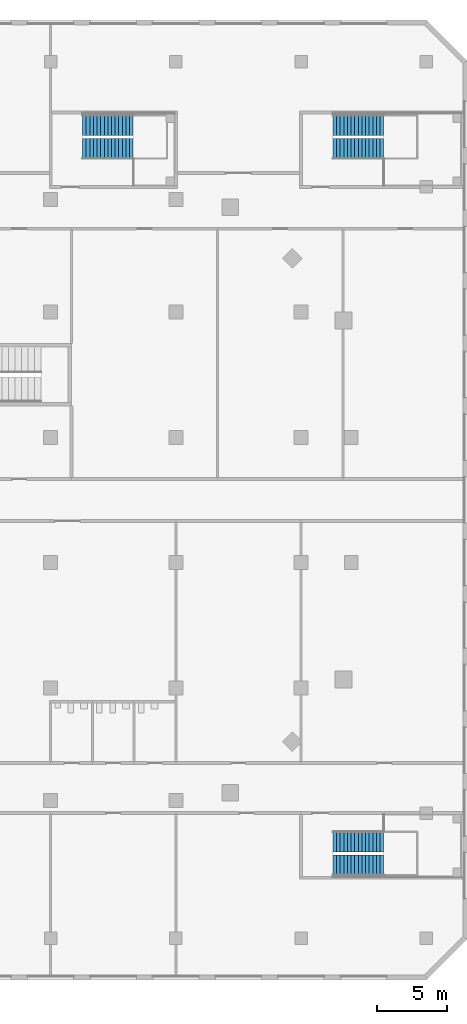
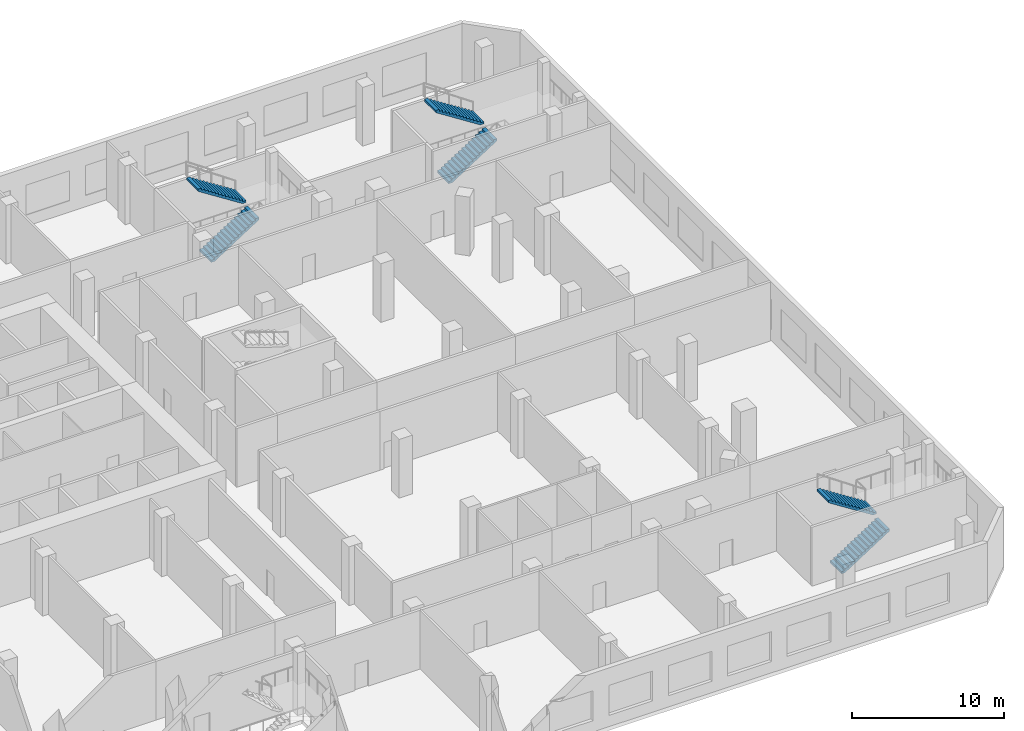
# One storey, part 18 of 23: 6 stair flights, 3 elements without a shape of their own.
"""IFC4 building model written with IfcOpenShell, lengths in metres."""

from ifc_helpers import new_model, si_unit, direction, frame, origin, place, context, subcontext, project, spatial, polyline, outline, extrude, material, type_object, element, aggregate, save


model = new_model("IFC4")

# Units and contexts
model_context = context("Model", 3, precision=1e-05, world=origin(), true_north=direction((0.0, 1.0)))
body_context = subcontext(model_context, "Body", "Model", "MODEL_VIEW")
ifc_project = project(units=[si_unit("LENGTHUNIT", "METRE"), si_unit("AREAUNIT", "SQUARE_METRE"), si_unit("VOLUMEUNIT", "CUBIC_METRE"), si_unit("PLANEANGLEUNIT", "RADIAN"), si_unit("MASSUNIT", "GRAM", prefix="KILO")], contexts=[model_context])

# Site, building, storey
site_placement = place(None, origin())
site = spatial("IfcSite", under=ifc_project, at=site_placement, CompositionType="ELEMENT")
building_placement = place(site_placement, origin())
building = spatial("IfcBuilding", under=site, at=building_placement, Name="Cinnabar Reach Civic Tower", CompositionType="ELEMENT")
storey_placement = place(building_placement, frame((0.0, 0.0, 6.0)))
storey = spatial("IfcBuildingStorey", under=building, at=storey_placement, Name="L01", CompositionType="ELEMENT", Elevation=6.0)

# Stair, stair flights
ifc_material = material(Name="Concrete C35", Category="concrete")
stair_type = type_object("IfcStairType", Name="Podium exit stair 1500", PredefinedType="HALF_TURN_STAIR", material=ifc_material)
stair_1_placement = place(storey_placement, origin())
stair_1 = element("IfcStair", 1, at=stair_1_placement, inside=storey, type_object=stair_type, Name="Stair PS4", PredefinedType="HALF_TURN_STAIR")
stair_flight_type = type_object("IfcStairFlightType", Name="Podium exit stair flight 1500", PredefinedType="STRAIGHT", material=ifc_material)
stair_flight_1_placement = place(storey_placement, frame((56.29, -3.75, 0.0), z_axis=(0.0, 0.0, 1.0), x_axis=(1.0, 0.0, 0.0)))
stair_flight_1 = element("IfcStairFlight", 2, at=stair_flight_1_placement, type_object=stair_flight_type, Name="PS4 flight 1", NumberOfRisers=15, NumberOfTreads=14, PredefinedType="STRAIGHT", RiserHeight=0.166666667, TreadLength=0.26, context=body_context, shape_type="SweptSolid", body=[
    extrude(outline(polyline([(0.0, 0.0), (0.0, 0.1667), (0.26, 0.1667), (0.26, 0.3333), (0.52, 0.3333), (0.52, 0.5), (0.78, 0.5), (0.78, 0.6667), (1.04, 0.6667), (1.04, 0.8333), (1.3, 0.8333), (1.3, 1.0), (1.56, 1.0), (1.56, 1.1667), (1.82, 1.1667), (1.82, 1.3333), (2.08, 1.3333), (2.08, 1.5), (2.34, 1.5), (2.34, 1.6667), (2.6, 1.6667), (2.6, 1.8333), (2.86, 1.8333), (2.86, 2.0), (3.12, 2.0), (3.12, 2.1667), (3.38, 2.1667), (3.38, 2.3333), (3.64, 2.3333), (3.64, 2.5), (3.64, 2.1552), (0.2779, 0.0), (0.0, 0.0)])), frame((0.0, 0.75, 0.0), z_axis=(0.0, -1.0, 0.0), x_axis=(1.0, 0.0, 0.0)), (0.0, 0.0, 1.0), 1.5),
])
stair_flight_2_placement = place(storey_placement, frame((59.93, -2.05, 2.5), z_axis=(0.0, 0.0, 1.0), x_axis=(-1.0, 0.0, 0.0)))
stair_flight_2 = element("IfcStairFlight", 3, at=stair_flight_2_placement, type_object=stair_flight_type, Name="PS4 flight 2", NumberOfRisers=15, NumberOfTreads=14, PredefinedType="STRAIGHT", RiserHeight=0.166666667, TreadLength=0.26, context=body_context, shape_type="SweptSolid", body=[
    extrude(outline(polyline([(0.0, 0.0), (0.0, 0.1667), (0.26, 0.1667), (0.26, 0.3333), (0.52, 0.3333), (0.52, 0.5), (0.78, 0.5), (0.78, 0.6667), (1.04, 0.6667), (1.04, 0.8333), (1.3, 0.8333), (1.3, 1.0), (1.56, 1.0), (1.56, 1.1667), (1.82, 1.1667), (1.82, 1.3333), (2.08, 1.3333), (2.08, 1.5), (2.34, 1.5), (2.34, 1.6667), (2.6, 1.6667), (2.6, 1.8333), (2.86, 1.8333), (2.86, 2.0), (3.12, 2.0), (3.12, 2.1667), (3.38, 2.1667), (3.38, 2.3333), (3.64, 2.3333), (3.64, 2.5), (3.64, 2.1552), (0.2779, 0.0), (0.0, 0.0)])), frame((0.0, 0.75, 0.0), z_axis=(0.0, -1.0, 0.0), x_axis=(1.0, 0.0, 0.0)), (0.0, 0.0, 1.0), 1.5),
])
aggregate(stair_1, [stair_flight_1, stair_flight_2])

stair_2_placement = place(storey_placement, origin())
stair_2 = element("IfcStair", 4, at=stair_2_placement, inside=storey, type_object=stair_type, Name="Stair PS5", PredefinedType="HALF_TURN_STAIR")
stair_flight_3_placement = place(storey_placement, frame((56.29, 47.75, 0.0), z_axis=(0.0, 0.0, 1.0), x_axis=(1.0, 0.0, 0.0)))
stair_flight_3 = element("IfcStairFlight", 5, at=stair_flight_3_placement, type_object=stair_flight_type, Name="PS5 flight 1", NumberOfRisers=15, NumberOfTreads=14, PredefinedType="STRAIGHT", RiserHeight=0.166666667, TreadLength=0.26, context=body_context, shape_type="SweptSolid", body=[
    extrude(outline(polyline([(0.0, 0.0), (0.0, 0.1667), (0.26, 0.1667), (0.26, 0.3333), (0.52, 0.3333), (0.52, 0.5), (0.78, 0.5), (0.78, 0.6667), (1.04, 0.6667), (1.04, 0.8333), (1.3, 0.8333), (1.3, 1.0), (1.56, 1.0), (1.56, 1.1667), (1.82, 1.1667), (1.82, 1.3333), (2.08, 1.3333), (2.08, 1.5), (2.34, 1.5), (2.34, 1.6667), (2.6, 1.6667), (2.6, 1.8333), (2.86, 1.8333), (2.86, 2.0), (3.12, 2.0), (3.12, 2.1667), (3.38, 2.1667), (3.38, 2.3333), (3.64, 2.3333), (3.64, 2.5), (3.64, 2.1552), (0.2779, 0.0), (0.0, 0.0)])), frame((0.0, 0.75, 0.0), z_axis=(0.0, -1.0, 0.0), x_axis=(1.0, 0.0, 0.0)), (0.0, 0.0, 1.0), 1.5),
])
stair_flight_4_placement = place(storey_placement, frame((59.93, 49.45, 2.5), z_axis=(0.0, 0.0, 1.0), x_axis=(-1.0, 0.0, 0.0)))
stair_flight_4 = element("IfcStairFlight", 6, at=stair_flight_4_placement, type_object=stair_flight_type, Name="PS5 flight 2", NumberOfRisers=15, NumberOfTreads=14, PredefinedType="STRAIGHT", RiserHeight=0.166666667, TreadLength=0.26, context=body_context, shape_type="SweptSolid", body=[
    extrude(outline(polyline([(0.0, 0.0), (0.0, 0.1667), (0.26, 0.1667), (0.26, 0.3333), (0.52, 0.3333), (0.52, 0.5), (0.78, 0.5), (0.78, 0.6667), (1.04, 0.6667), (1.04, 0.8333), (1.3, 0.8333), (1.3, 1.0), (1.56, 1.0), (1.56, 1.1667), (1.82, 1.1667), (1.82, 1.3333), (2.08, 1.3333), (2.08, 1.5), (2.34, 1.5), (2.34, 1.6667), (2.6, 1.6667), (2.6, 1.8333), (2.86, 1.8333), (2.86, 2.0), (3.12, 2.0), (3.12, 2.1667), (3.38, 2.1667), (3.38, 2.3333), (3.64, 2.3333), (3.64, 2.5), (3.64, 2.1552), (0.2779, 0.0), (0.0, 0.0)])), frame((0.0, 0.75, 0.0), z_axis=(0.0, -1.0, 0.0), x_axis=(1.0, 0.0, 0.0)), (0.0, 0.0, 1.0), 1.5),
])
aggregate(stair_2, [stair_flight_3, stair_flight_4])

stair_3_placement = place(storey_placement, origin())
stair_3 = element("IfcStair", 7, at=stair_3_placement, inside=storey, type_object=stair_type, Name="Stair PS6", PredefinedType="HALF_TURN_STAIR")
stair_flight_5_placement = place(storey_placement, frame((38.29, 47.75, 0.0), z_axis=(0.0, 0.0, 1.0), x_axis=(1.0, 0.0, 0.0)))
stair_flight_5 = element("IfcStairFlight", 8, at=stair_flight_5_placement, type_object=stair_flight_type, Name="PS6 flight 1", NumberOfRisers=15, NumberOfTreads=14, PredefinedType="STRAIGHT", RiserHeight=0.166666667, TreadLength=0.26, context=body_context, shape_type="SweptSolid", body=[
    extrude(outline(polyline([(0.0, 0.0), (0.0, 0.1667), (0.26, 0.1667), (0.26, 0.3333), (0.52, 0.3333), (0.52, 0.5), (0.78, 0.5), (0.78, 0.6667), (1.04, 0.6667), (1.04, 0.8333), (1.3, 0.8333), (1.3, 1.0), (1.56, 1.0), (1.56, 1.1667), (1.82, 1.1667), (1.82, 1.3333), (2.08, 1.3333), (2.08, 1.5), (2.34, 1.5), (2.34, 1.6667), (2.6, 1.6667), (2.6, 1.8333), (2.86, 1.8333), (2.86, 2.0), (3.12, 2.0), (3.12, 2.1667), (3.38, 2.1667), (3.38, 2.3333), (3.64, 2.3333), (3.64, 2.5), (3.64, 2.1552), (0.2779, 0.0), (0.0, 0.0)])), frame((0.0, 0.75, 0.0), z_axis=(0.0, -1.0, 0.0), x_axis=(1.0, 0.0, 0.0)), (0.0, 0.0, 1.0), 1.5),
])
stair_flight_6_placement = place(storey_placement, frame((41.93, 49.45, 2.5), z_axis=(0.0, 0.0, 1.0), x_axis=(-1.0, 0.0, 0.0)))
stair_flight_6 = element("IfcStairFlight", 9, at=stair_flight_6_placement, type_object=stair_flight_type, Name="PS6 flight 2", NumberOfRisers=15, NumberOfTreads=14, PredefinedType="STRAIGHT", RiserHeight=0.166666667, TreadLength=0.26, context=body_context, shape_type="SweptSolid", body=[
    extrude(outline(polyline([(0.0, 0.0), (0.0, 0.1667), (0.26, 0.1667), (0.26, 0.3333), (0.52, 0.3333), (0.52, 0.5), (0.78, 0.5), (0.78, 0.6667), (1.04, 0.6667), (1.04, 0.8333), (1.3, 0.8333), (1.3, 1.0), (1.56, 1.0), (1.56, 1.1667), (1.82, 1.1667), (1.82, 1.3333), (2.08, 1.3333), (2.08, 1.5), (2.34, 1.5), (2.34, 1.6667), (2.6, 1.6667), (2.6, 1.8333), (2.86, 1.8333), (2.86, 2.0), (3.12, 2.0), (3.12, 2.1667), (3.38, 2.1667), (3.38, 2.3333), (3.64, 2.3333), (3.64, 2.5), (3.64, 2.1552), (0.2779, 0.0), (0.0, 0.0)])), frame((0.0, 0.75, 0.0), z_axis=(0.0, -1.0, 0.0), x_axis=(1.0, 0.0, 0.0)), (0.0, 0.0, 1.0), 1.5),
])
aggregate(stair_3, [stair_flight_5, stair_flight_6])

save(model, "model.ifc")
